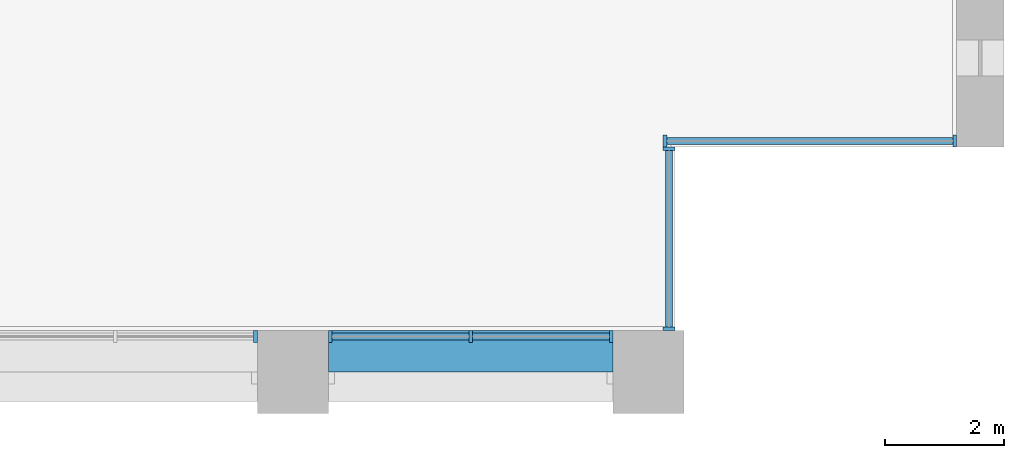
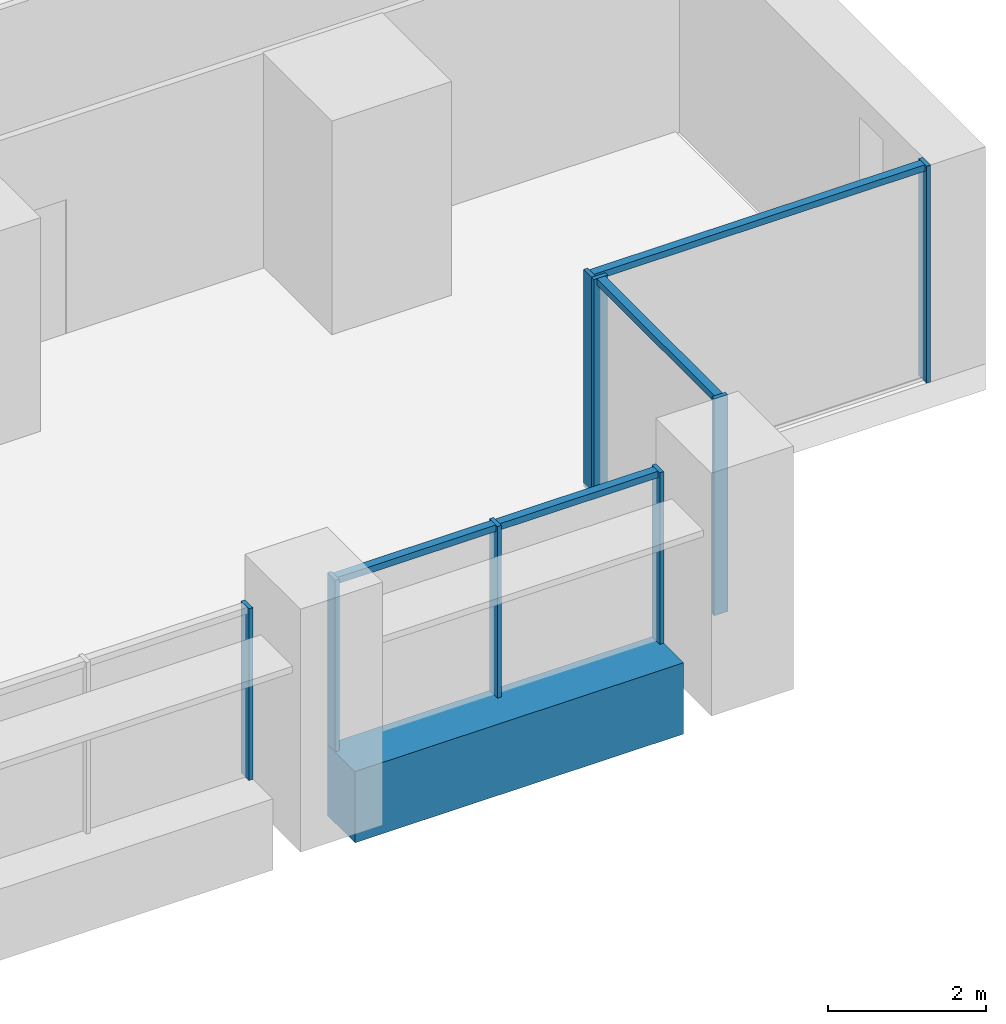
# One storey, part 5 of 18: 12 members, 1 beam, 4 elements without a shape of their own.
"""IFC4 building model written with IfcOpenShell, lengths in metres."""

from ifc_helpers import new_model, si_unit, direction, frame, origin, origin_2d, place, context, subcontext, project, spatial, rectangle, extrude, material, material_profile, profile_set, type_object, element, aggregate, save


model = new_model("IFC4")

# Units and contexts
model_context = context("Model", 3, precision=1e-05, world=origin(), true_north=direction((0.0, 1.0)))
body_context = subcontext(model_context, "Body", "Model", "MODEL_VIEW")
ifc_project = project(units=[si_unit("LENGTHUNIT", "METRE"), si_unit("AREAUNIT", "SQUARE_METRE"), si_unit("VOLUMEUNIT", "CUBIC_METRE"), si_unit("PLANEANGLEUNIT", "RADIAN"), si_unit("MASSUNIT", "GRAM", prefix="KILO")], contexts=[model_context])

# Site, building, storey
site_placement = place(None, origin())
site = spatial("IfcSite", under=ifc_project, at=site_placement, CompositionType="ELEMENT")
building_placement = place(site_placement, origin())
building = spatial("IfcBuilding", under=site, at=building_placement, Name="Calvaro Tower", CompositionType="ELEMENT")
storey_placement = place(building_placement, frame((0.0, 0.0, 37.5)))
storey = spatial("IfcBuildingStorey", under=building, at=storey_placement, Name="L08", CompositionType="ELEMENT", Elevation=37.5)

# Curtain wall, member
ifc_material_1 = material(Name="Anodised aluminium", Category="aluminium")
curtain_wall_type = type_object("IfcCurtainWallType", Name="Office curtain wall, lower zone", PredefinedType="NOTDEFINED", material=ifc_material_1)
curtain_wall_1_placement = place(storey_placement, origin())
curtain_wall_1 = element("IfcCurtainWall", 1, at=curtain_wall_1_placement, inside=storey, type_object=curtain_wall_type, Name="CW1 south curtain wall", PredefinedType="NOTDEFINED")
ifc_material_2 = material(Name="Anodised aluminium", Category="aluminium")
ifc_material_profile_1 = material_profile(ifc_material_2, rectangle(XDim=0.199951171875, YDim=0.06005859375, at=origin_2d()), Name="Mullion S1 60 x 200")
ifc_profile_set_1 = profile_set([ifc_material_profile_1], Name="Anodised aluminium")
member_type_1 = type_object("IfcMemberType", Name="Mullion S1 60 x 200", PredefinedType="MULLION", material=ifc_profile_set_1)
member_1_placement = place(storey_placement, frame((65.3701171875, 1.300048828125, 0.0), z_axis=(0.0, 0.0, 1.0), x_axis=(0.0, 1.0, 0.0)))
member_1 = element("IfcMember", 2, at=member_1_placement, type_object=member_type_1, Name="CW1 mullion 3", PredefinedType="MULLION", context=body_context, shape_type="SweptSolid", body=[
    extrude(rectangle(XDim=0.199951171875, YDim=0.06005859375, at=origin_2d()), origin(), (0.0, 0.0, 1.0), 2.64990234375),
])
aggregate(curtain_wall_1, [member_1])

# Curtain wall, members
curtain_wall_2_placement = place(storey_placement, origin())
curtain_wall_2 = element("IfcCurtainWall", 3, at=curtain_wall_2_placement, inside=storey, type_object=curtain_wall_type, Name="CW1 south curtain wall", PredefinedType="NOTDEFINED")
member_2_placement = place(storey_placement, frame((66.6298828125, 1.300048828125, 0.0), z_axis=(0.0, 0.0, 1.0), x_axis=(0.0, 1.0, 0.0)))
member_2 = element("IfcMember", 4, at=member_2_placement, type_object=member_type_1, Name="CW1 mullion 1", PredefinedType="MULLION", context=body_context, shape_type="SweptSolid", body=[
    extrude(rectangle(XDim=0.199951171875, YDim=0.06005859375, at=origin_2d()), origin(), (0.0, 0.0, 1.0), 2.64990234375),
])
member_3_placement = place(storey_placement, frame((69.0, 1.300048828125, 0.0), z_axis=(0.0, 0.0, 1.0), x_axis=(0.0, 1.0, 0.0)))
member_3 = element("IfcMember", 5, at=member_3_placement, type_object=member_type_1, Name="CW1 mullion 2", PredefinedType="MULLION", context=body_context, shape_type="SweptSolid", body=[
    extrude(rectangle(XDim=0.199951171875, YDim=0.06005859375, at=origin_2d()), origin(), (0.0, 0.0, 1.0), 2.64990234375),
])
member_4_placement = place(storey_placement, frame((71.3701171875, 1.300048828125, 0.0), z_axis=(0.0, 0.0, 1.0), x_axis=(0.0, 1.0, 0.0)))
member_4 = element("IfcMember", 6, at=member_4_placement, type_object=member_type_1, Name="CW1 mullion 3", PredefinedType="MULLION", context=body_context, shape_type="SweptSolid", body=[
    extrude(rectangle(XDim=0.199951171875, YDim=0.06005859375, at=origin_2d()), origin(), (0.0, 0.0, 1.0), 2.64990234375),
])

curtain_wall_3_placement = place(storey_placement, origin())
curtain_wall_3 = element("IfcCurtainWall", 7, at=curtain_wall_3_placement, inside=storey, type_object=curtain_wall_type, Name="CW1 corner curtain wall", PredefinedType="NOTDEFINED")
member_5_placement = place(storey_placement, frame((72.35009765625, 1.429931640625, 0.0), z_axis=(0.0, 0.0, 1.0), x_axis=(-1.0, 0.0, 0.0)))
member_5 = element("IfcMember", 8, at=member_5_placement, type_object=member_type_1, Name="CW1 mullion 1", PredefinedType="MULLION", context=body_context, shape_type="SweptSolid", body=[
    extrude(rectangle(XDim=0.199951171875, YDim=0.06005859375, at=origin_2d()), origin(), (0.0, 0.0, 1.0), 3.35009765625),
])
member_6_placement = place(storey_placement, frame((72.35009765625, 4.469970703125, 0.0), z_axis=(0.0, 0.0, 1.0), x_axis=(-1.0, 0.0, 0.0)))
member_6 = element("IfcMember", 9, at=member_6_placement, type_object=member_type_1, Name="CW1 mullion 2", PredefinedType="MULLION", context=body_context, shape_type="SweptSolid", body=[
    extrude(rectangle(XDim=0.199951171875, YDim=0.06005859375, at=origin_2d()), origin(), (0.0, 0.0, 1.0), 3.35009765625),
])

curtain_wall_4_placement = place(storey_placement, origin())
curtain_wall_4 = element("IfcCurtainWall", 10, at=curtain_wall_4_placement, inside=storey, type_object=curtain_wall_type, Name="CW1 corner curtain wall", PredefinedType="NOTDEFINED")
member_7_placement = place(storey_placement, frame((72.280029296875, 4.60009765625, 0.0), z_axis=(0.0, 0.0, 1.0), x_axis=(0.0, 1.0, 0.0)))
member_7 = element("IfcMember", 11, at=member_7_placement, type_object=member_type_1, Name="CW1 mullion 1", PredefinedType="MULLION", context=body_context, shape_type="SweptSolid", body=[
    extrude(rectangle(XDim=0.199951171875, YDim=0.06005859375, at=origin_2d()), origin(), (0.0, 0.0, 1.0), 3.35009765625),
])
member_8_placement = place(storey_placement, frame((77.169921875, 4.60009765625, 0.0), z_axis=(0.0, 0.0, 1.0), x_axis=(0.0, 1.0, 0.0)))
member_8 = element("IfcMember", 12, at=member_8_placement, type_object=member_type_1, Name="CW1 mullion 2", PredefinedType="MULLION", context=body_context, shape_type="SweptSolid", body=[
    extrude(rectangle(XDim=0.199951171875, YDim=0.06005859375, at=origin_2d()), origin(), (0.0, 0.0, 1.0), 3.35009765625),
])

# Beam
ifc_material_3 = material(Name="Concrete C50/60 precast", Category="concrete")
ifc_material_profile_2 = material_profile(ifc_material_3, rectangle(XDim=0.699951171875, YDim=1.10009765625, at=origin_2d()), Name="RC 700x1100")
ifc_profile_set_2 = profile_set([ifc_material_profile_2], Name="Concrete C50/60 precast")
beam_type = type_object("IfcBeamType", Name="Spandrel beam 700x1100 C50/60", PredefinedType="SPANDREL", material=ifc_profile_set_2)
beam_placement = place(storey_placement, frame((66.60009765625, 1.050048828125, -0.550048828125), z_axis=(1.0, 0.0, 0.0), x_axis=(0.0, 1.0, 0.0)))
element("IfcBeam", 13, at=beam_placement, inside=storey, type_object=beam_type, Name="Spandrel beam", PredefinedType="SPANDREL", context=body_context, shape_type="SweptSolid", body=[
    extrude(rectangle(XDim=0.699951171875, YDim=1.10009765625, at=origin_2d()), origin(), (0.0, 0.0, 1.0), 4.7998046875),
])

# Member
ifc_material_4 = material(Name="Anodised aluminium", Category="aluminium")
ifc_material_profile_3 = material_profile(ifc_material_4, rectangle(XDim=0.1201171875, YDim=0.10009765625, at=origin_2d()), Name="Transom S1 100 x 120")
ifc_profile_set_3 = profile_set([ifc_material_profile_3], Name="Anodised aluminium")
member_type_2 = type_object("IfcMemberType", Name="Transom S1 100 x 120", PredefinedType="USERDEFINED", material=ifc_profile_set_3)
member_9_placement = place(storey_placement, frame((66.659912109375, 1.300048828125, 2.60009765625), z_axis=(1.0, 0.0, 0.0), x_axis=(0.0, 1.0, 0.0)))
member_9 = element("IfcMember", 14, at=member_9_placement, type_object=member_type_2, Name="CW1 transom 1.1", ObjectType="TRANSOM", PredefinedType="USERDEFINED", context=body_context, shape_type="SweptSolid", body=[
    extrude(rectangle(XDim=0.1201171875, YDim=0.10009765625, at=origin_2d()), origin(), (0.0, 0.0, 1.0), 2.31005859375),
])

member_10_placement = place(storey_placement, frame((69.030029296875, 1.300048828125, 2.60009765625), z_axis=(1.0, 0.0, 0.0), x_axis=(0.0, 1.0, 0.0)))
member_10 = element("IfcMember", 15, at=member_10_placement, type_object=member_type_2, Name="CW1 transom 2.1", ObjectType="TRANSOM", PredefinedType="USERDEFINED", context=body_context, shape_type="SweptSolid", body=[
    extrude(rectangle(XDim=0.1201171875, YDim=0.10009765625, at=origin_2d()), origin(), (0.0, 0.0, 1.0), 2.31005859375),
])

aggregate(curtain_wall_2, [member_2, member_3, member_4, member_9, member_10])

member_11_placement = place(storey_placement, frame((72.35009765625, 1.4599609375, 3.300048828125), z_axis=(0.0, 1.0, 0.0), x_axis=(-1.0, 0.0, 0.0)))
member_11 = element("IfcMember", 16, at=member_11_placement, type_object=member_type_2, Name="CW1 transom 1.1", ObjectType="TRANSOM", PredefinedType="USERDEFINED", context=body_context, shape_type="SweptSolid", body=[
    extrude(rectangle(XDim=0.1201171875, YDim=0.10009765625, at=origin_2d()), origin(), (0.0, 0.0, 1.0), 2.97998046875),
])

aggregate(curtain_wall_3, [member_5, member_6, member_11])

member_12_placement = place(storey_placement, frame((72.31005859375, 4.60009765625, 3.300048828125), z_axis=(1.0, 0.0, 0.0), x_axis=(0.0, 1.0, 0.0)))
member_12 = element("IfcMember", 17, at=member_12_placement, type_object=member_type_2, Name="CW1 transom 1.1", ObjectType="TRANSOM", PredefinedType="USERDEFINED", context=body_context, shape_type="SweptSolid", body=[
    extrude(rectangle(XDim=0.1201171875, YDim=0.10009765625, at=origin_2d()), origin(), (0.0, 0.0, 1.0), 4.829833984375),
])

aggregate(curtain_wall_4, [member_7, member_8, member_12])

save(model, "model.ifc")
